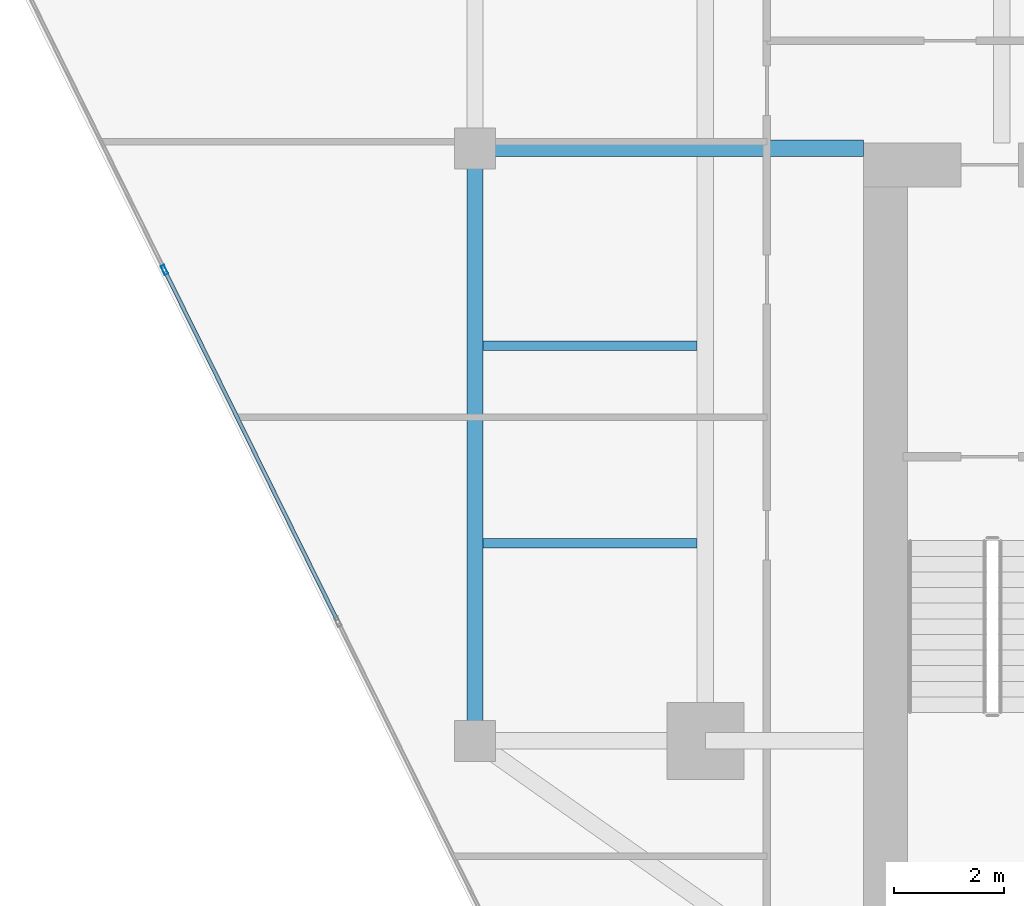
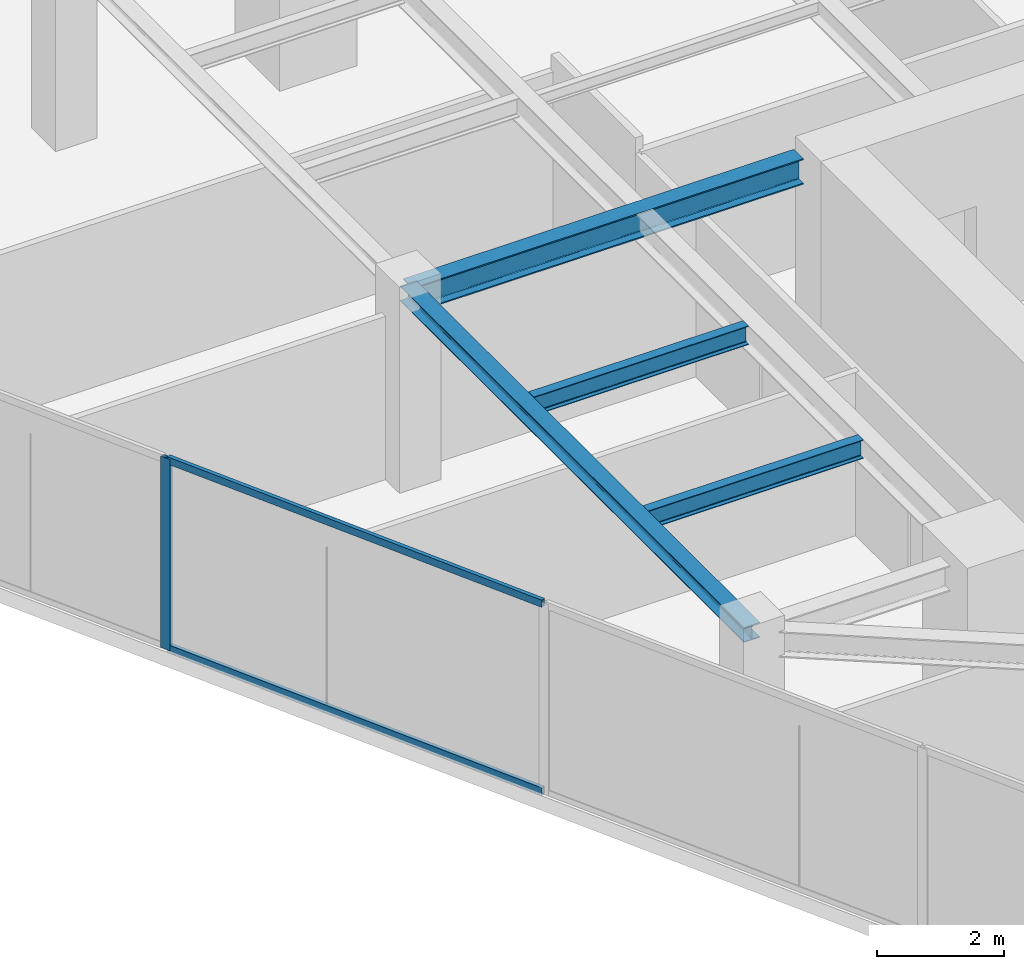
# One storey, part 4 of 22: 4 beams, 3 members, 1 element without a shape of its own.
"""IFC4 building model written with IfcOpenShell, lengths in metres."""

from ifc_helpers import new_model, si_unit, direction, frame, origin, origin_2d, place, context, subcontext, project, spatial, hollow_rectangle, i_section, extrude, source, transform, mapped, material, material_profile, profile_set, type_object, type_shapes, element, aggregate, save


model = new_model("IFC4")

# Units and contexts
model_context = context("Model", 3, precision=1e-05, world=origin(), true_north=direction((0.0, 1.0)))
body_context = subcontext(model_context, "Body", "Model", "MODEL_VIEW")
ifc_project = project(units=[si_unit("LENGTHUNIT", "METRE"), si_unit("AREAUNIT", "SQUARE_METRE"), si_unit("VOLUMEUNIT", "CUBIC_METRE"), si_unit("PLANEANGLEUNIT", "RADIAN"), si_unit("MASSUNIT", "GRAM", prefix="KILO")], contexts=[model_context])

# Site, building, storey
site_placement = place(None, origin())
site = spatial("IfcSite", under=ifc_project, at=site_placement, CompositionType="ELEMENT")
building_placement = place(site_placement, origin())
building = spatial("IfcBuilding", under=site, at=building_placement, Name="Krantzveldt Concourse Tower", CompositionType="ELEMENT")
storey_placement = place(building_placement, frame((0.0, 0.0, 310.85009765625)))
storey = spatial("IfcBuildingStorey", under=building, at=storey_placement, Name="L76", CompositionType="ELEMENT", Elevation=310.85009765625)

# Beams
ifc_material_1 = material(Name="Steel S355JR", Category="steel")
ifc_material_profile_1 = material_profile(ifc_material_1, i_section(OverallWidth=0.300048828125, OverallDepth=0.489990234375, WebThickness=0.011962890625, FlangeThickness=0.02294921875, FilletRadius=0.027099609375, at=origin_2d()), Name="Steel S355JR", Category="steel")
ifc_profile_set_1 = profile_set([ifc_material_profile_1], Name="Steel S355JR - HEA 500")
beam_type_1 = type_object("IfcBeamType", Name="BM-B-HEA500", PredefinedType="BEAM", material=ifc_profile_set_1)
shared_shape_1 = source(origin(), body_context, "Body", "SweptSolid", [
    extrude(i_section(OverallWidth=0.300048828125, OverallDepth=0.489990234375, WebThickness=0.011962890625, FlangeThickness=0.02294921875, FilletRadius=0.027099609375, at=origin_2d()), origin(), (0.0, 0.0, 1.0), 7.080078125),
])
type_shapes(beam_type_1, [shared_shape_1])
beam_1_placement = place(storey_placement, frame((21.0, 26.699951171875, 3.4248046875), z_axis=(1.0, 0.0, 0.0), x_axis=(0.0, 1.0, 0.0)))
element("IfcBeam", 1, at=beam_1_placement, inside=storey, type_object=beam_type_1, Name="L76 Tower Girder BG-CW2", PredefinedType="BEAM", context=body_context, shape_type="MappedRepresentation", body=[
    mapped(shared_shape_1, transform((0.0, 0.0, 0.0), x_axis=(1.0, 0.0, 0.0), y_axis=(0.0, 1.0, 0.0), z_axis=(0.0, 0.0, 1.0), scale=1.0)),
])
ifc_material_profile_2 = material_profile(ifc_material_1, i_section(OverallWidth=0.2900390625, OverallDepth=0.2900390625, WebThickness=0.008544921875, FlangeThickness=0.013916015625, FilletRadius=0.027099609375, at=origin_2d()), Name="Steel S355JR", Category="steel")
ifc_profile_set_2 = profile_set([ifc_material_profile_2], Name="Steel S355JR - HEA 300")
beam_type_2 = type_object("IfcBeamType", Name="BM-SP-HEA300", PredefinedType="SPANDREL", material=ifc_profile_set_2)
shared_shape_2 = source(origin(), body_context, "Body", "SweptSolid", [
    extrude(i_section(OverallWidth=0.2900390625, OverallDepth=0.2900390625, WebThickness=0.008544921875, FlangeThickness=0.013916015625, FilletRadius=0.027099609375, at=origin_2d()), origin(), (0.0, 0.0, 1.0), 10.800048828125),
])
type_shapes(beam_type_2, [shared_shape_2])
beam_2_placement = place(storey_placement, frame((21.0, 15.89990234375, 3.52490234375), z_axis=(0.0, 1.0, 0.0), x_axis=(-1.0, 0.0, 0.0)))
element("IfcBeam", 2, at=beam_2_placement, inside=storey, type_object=beam_type_2, Name="L76 Tower Girder SP-R01", PredefinedType="SPANDREL", context=body_context, shape_type="MappedRepresentation", body=[
    mapped(shared_shape_2, transform((0.0, 0.0, 0.0), x_axis=(1.0, 0.0, 0.0), y_axis=(0.0, 1.0, 0.0), z_axis=(0.0, 0.0, 1.0), scale=1.0)),
])
ifc_material_profile_3 = material_profile(ifc_material_1, i_section(OverallWidth=0.169921875, OverallDepth=0.360107421875, WebThickness=0.008056640625, FlangeThickness=0.0126953125, FilletRadius=0.01806640625, at=origin_2d()), Name="Steel S355JR", Category="steel")
ifc_profile_set_3 = profile_set([ifc_material_profile_3], Name="Steel S355JR - IPE 360")
beam_type_3 = type_object("IfcBeamType", Name="BM-J-IPE360", PredefinedType="JOIST", material=ifc_profile_set_3)
shared_shape_3 = source(origin(), body_context, "Body", "SweptSolid", [
    extrude(i_section(OverallWidth=0.169921875, OverallDepth=0.360107421875, WebThickness=0.008056640625, FlangeThickness=0.0126953125, FilletRadius=0.01806640625, at=origin_2d()), origin(), (0.0, 0.0, 1.0), 3.900146484375),
])
type_shapes(beam_type_3, [shared_shape_3])
for number, where, z_axis, x_axis, name in (
    (3, (21.14990234375, 19.5, 3.489990234375), (1.0, 0.0, 0.0), (0.0, 1.0, 0.0), "L76 Secondary Floor Joist JW-1"),
    (4, (21.14990234375, 23.10009765625, 3.489990234375), (1.0, 0.0, 0.0), (0.0, 1.0, 0.0), "L76 Secondary Floor Joist JW-2"),
):
    element("IfcBeam", number, at=place(storey_placement, frame(where, z_axis=z_axis, x_axis=x_axis)), inside=storey, type_object=beam_type_3, Name=name, PredefinedType="JOIST", context=body_context, shape_type="MappedRepresentation", body=[
        mapped(shared_shape_3, transform((0.0, 0.0, 0.0), x_axis=(1.0, 0.0, 0.0), y_axis=(0.0, 1.0, 0.0), z_axis=(0.0, 0.0, 1.0), scale=1.0)),
    ])

# Curtain wall, members
ifc_material_2 = material(Name="Anodised aluminium 6063-T6", Category="aluminium")
curtain_wall_type = type_object("IfcCurtainWallType", Name="CW4", PredefinedType="USERDEFINED", material=ifc_material_2)
curtain_wall_placement = place(storey_placement, origin())
curtain_wall = element("IfcCurtainWall", 5, at=curtain_wall_placement, inside=storey, type_object=curtain_wall_type, Name="CW-L76-F04", ObjectType="UNITISED CURTAIN WALL", PredefinedType="USERDEFINED")
ifc_material_profile_4 = material_profile(ifc_material_2, hollow_rectangle(XDim=0.070068359375, YDim=0.179931640625, WallThickness=0.0048828125, at=origin_2d()), Name="Anodised aluminium 6063-T6", Category="aluminium")
ifc_profile_set_4 = profile_set([ifc_material_profile_4], Name="Anodised aluminium 6063-T6 - ALU-MULL 180x70x5")
member_type_1 = type_object("IfcMemberType", Name="CW-MUL-180", PredefinedType="MULLION", material=ifc_profile_set_4)
shared_shape_4 = source(origin(), body_context, "Body", "SweptSolid", [
    extrude(hollow_rectangle(XDim=0.070068359375, YDim=0.179931640625, WallThickness=0.0048828125, at=origin_2d()), origin(), (0.0, 0.0, 1.0), 3.669921875),
])
type_shapes(member_type_1, [shared_shape_4])
member_1_placement = place(storey_placement, frame((15.339599609375, 24.483642578125, 0.0), z_axis=(0.0, 0.0, 1.0), x_axis=(0.896872829457, 0.442288511927, 0.0)))
member_1 = element("IfcMember", 6, at=member_1_placement, type_object=member_type_1, Name="CW-Z56 mullion 2", PredefinedType="MULLION", context=body_context, shape_type="MappedRepresentation", body=[
    mapped(shared_shape_4, transform((0.0, 0.0, 0.0), x_axis=(1.0, 0.0, 0.0), y_axis=(0.0, 1.0, 0.0), z_axis=(0.0, 0.0, 1.0), scale=1.0)),
])
ifc_material_profile_5 = material_profile(ifc_material_2, hollow_rectangle(XDim=0.070068359375, YDim=0.139892578125, WallThickness=0.0048828125, at=origin_2d()), Name="Anodised aluminium 6063-T6", Category="aluminium")
ifc_profile_set_5 = profile_set([ifc_material_profile_5], Name="Anodised aluminium 6063-T6 - ALU-TRAN 140x70x5")
member_type_2 = type_object("IfcMemberType", Name="CW-TRN-150", PredefinedType="USERDEFINED", material=ifc_profile_set_5)
shared_shape_5 = source(origin(), body_context, "Body", "SweptSolid", [
    extrude(hollow_rectangle(XDim=0.070068359375, YDim=0.139892578125, WallThickness=0.0048828125, at=origin_2d()), origin(), (0.0, 0.0, 1.0), 7.080078125),
])
type_shapes(member_type_2, [shared_shape_5])
member_2_placement = place(storey_placement, frame((15.355224609375, 24.4521484375, 0.034912109375), z_axis=(0.442282604958, -0.896875742426, 0.0), x_axis=(0.896875742426, 0.442282604958, 0.0)))
member_2 = element("IfcMember", 7, at=member_2_placement, type_object=member_type_2, Name="CW-Z56 transom 2.1", ObjectType="TRANSOM", PredefinedType="USERDEFINED", context=body_context, shape_type="MappedRepresentation", body=[
    mapped(shared_shape_5, transform((0.0, 0.0, 0.0), x_axis=(1.0, 0.0, 0.0), y_axis=(0.0, 1.0, 0.0), z_axis=(0.0, 0.0, 1.0), scale=1.0)),
])
member_3_placement = place(storey_placement, frame((15.355224609375, 24.4521484375, 3.635009765625), z_axis=(0.442282604958, -0.896875742426, 0.0), x_axis=(0.896875742426, 0.442282604958, 0.0)))
member_3 = element("IfcMember", 8, at=member_3_placement, type_object=member_type_2, Name="CW-Z56 transom 2.2", ObjectType="TRANSOM", PredefinedType="USERDEFINED", context=body_context, shape_type="MappedRepresentation", body=[
    mapped(shared_shape_5, transform((0.0, 0.0, 0.0), x_axis=(1.0, 0.0, 0.0), y_axis=(0.0, 1.0, 0.0), z_axis=(0.0, 0.0, 1.0), scale=1.0)),
])
aggregate(curtain_wall, [member_1, member_2, member_3])

save(model, "model.ifc")
